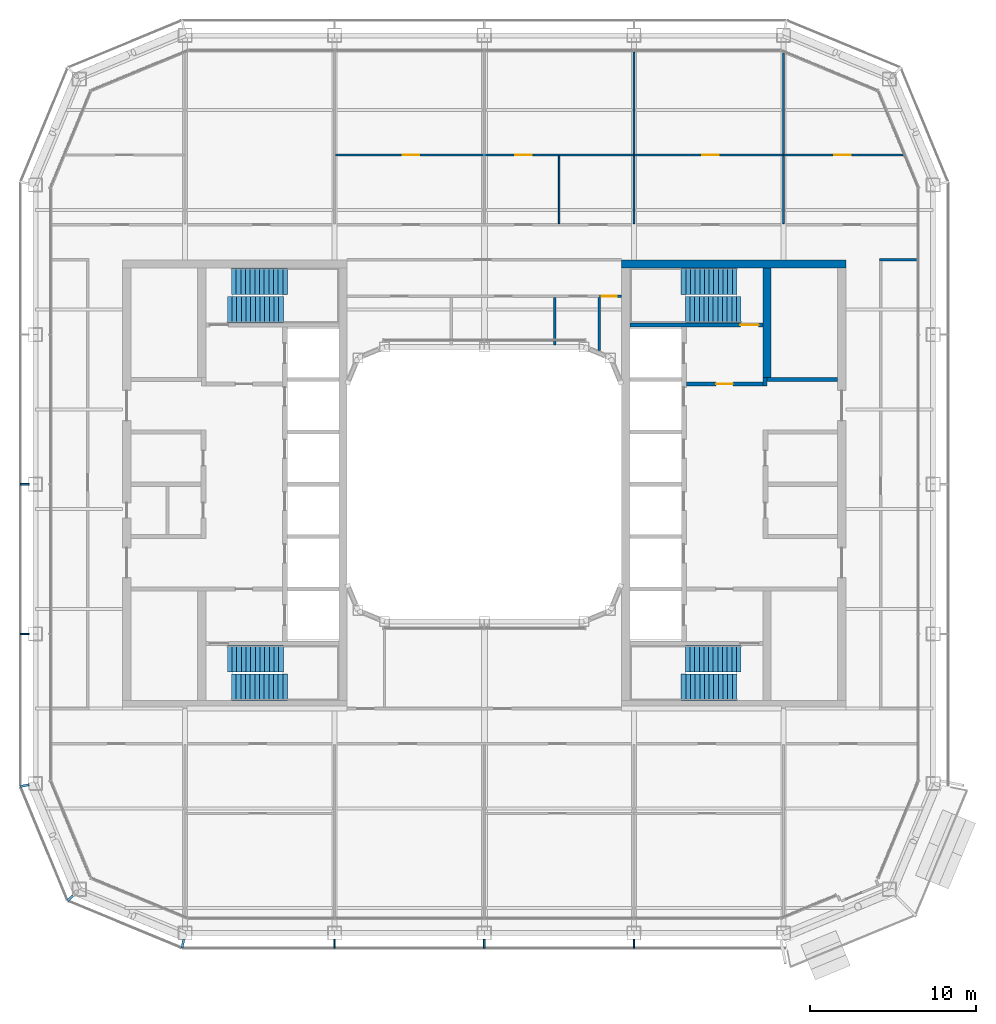
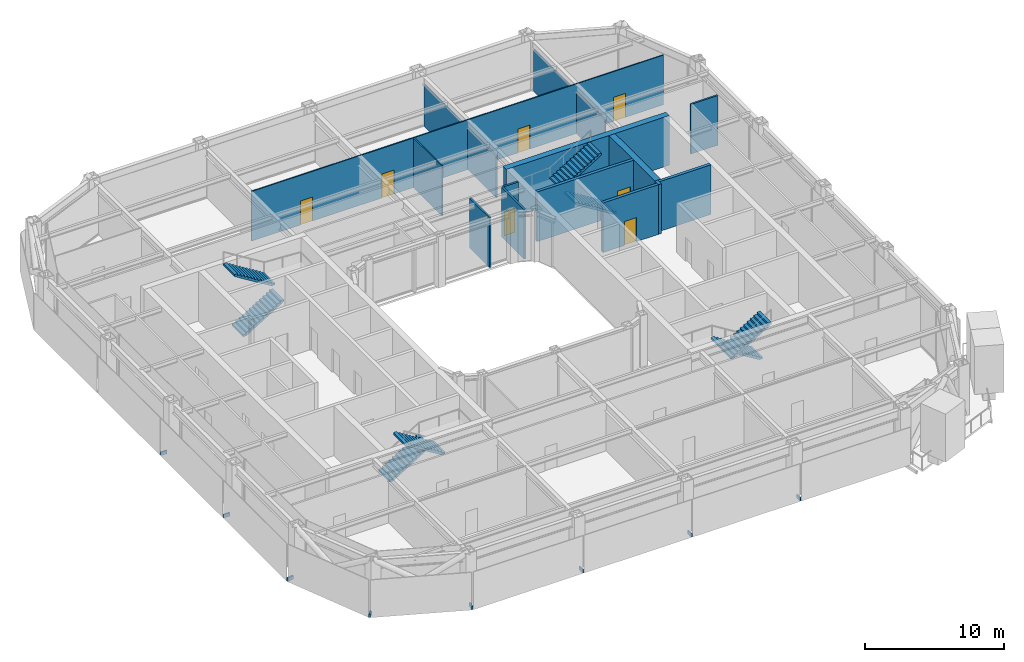
# One storey, part 15 of 22: 16 walls, 8 discrete accessories, 8 stair flights, 7 doors, 7 openings, 4 elements without a shape of their own.
"""IFC4 building model written with IfcOpenShell, lengths in metres."""

from ifc_helpers import new_model, si_unit, direction, frame, frame_2d, origin, origin_2d, place, context, subcontext, project, spatial, polyline, rectangle, outline, extrude, material, layer, layer_set, type_object, element, fill, aggregate, save


model = new_model("IFC4")

# Units and contexts
model_context = context("Model", 3, precision=1e-05, world=origin(), true_north=direction((0.0, 1.0)))
body_context = subcontext(model_context, "Body", "Model", "MODEL_VIEW")
ifc_project = project(units=[si_unit("LENGTHUNIT", "METRE"), si_unit("AREAUNIT", "SQUARE_METRE"), si_unit("VOLUMEUNIT", "CUBIC_METRE"), si_unit("PLANEANGLEUNIT", "RADIAN"), si_unit("MASSUNIT", "GRAM", prefix="KILO")], contexts=[model_context])

# Site, building, storey
site_placement = place(None, origin())
site = spatial("IfcSite", under=ifc_project, at=site_placement, CompositionType="ELEMENT")
building_placement = place(site_placement, origin())
building = spatial("IfcBuilding", under=site, at=building_placement, Name="Siwar Civic Tower", CompositionType="ELEMENT")
storey_placement = place(building_placement, frame((0.0, 0.0, 201.699951171875)))
storey = spatial("IfcBuildingStorey", under=building, at=storey_placement, Name="L43", CompositionType="ELEMENT", Elevation=201.699951171875)

# Wall, opening, door
ifc_material_1 = material(Name="Gypsum board on steel studs", Category="steel")
ifc_layer_1 = layer(ifc_material_1, 0.14990234375)
ifc_layer_set_1 = layer_set([ifc_layer_1], Name="Gypsum board on steel studs")
wall_type_1 = type_object("IfcWallType", Name="COMPARTMENT PARTITION 150 EI 60", PredefinedType="PARTITIONING", material=ifc_layer_set_1)
wall_1_placement = place(storey_placement, frame((6.919921875, 11.300048828125, 0.0), z_axis=(0.0, 0.0, 1.0), x_axis=(1.0, 0.0, 0.0)))
wall_1 = element("IfcWall", 1, at=wall_1_placement, inside=storey, type_object=wall_type_1, Name="L43/wall/P08", PredefinedType="PARTITIONING", context=body_context, shape_type="SweptSolid", body=[
    extrude(rectangle(XDim=1.330078125, YDim=0.14990234375, at=frame_2d((0.6650390625, 0.0))), origin(), (0.0, 0.0, 1.0), 4.35009765625),
])
opening_1_placement = place(wall_1_placement, frame((0.14990234375, 0.0, 0.0)))
opening_1 = element("IfcOpeningElement", 2, at=opening_1_placement, cuts=wall_1, Name="Opening D4", PredefinedType="OPENING", context=body_context, shape_type="SweptSolid", body=[
    extrude(rectangle(XDim=0.89990234375, YDim=2.10009765625, at=frame_2d((0.449951171875, 1.050048828125))), frame((0.0, 0.0849609375, 0.0), z_axis=(0.0, -1.0, 0.0), x_axis=(1.0, 0.0, 0.0)), (0.0, 0.0, 1.0), 0.169921875),
])
ifc_material_2 = material(Name="Timber, painted", Category="wood")
door_type_1 = type_object("IfcDoorType", Name="DOOR 900 X 2100 FD60", OperationType="SINGLE_SWING_LEFT", PredefinedType="DOOR", material=ifc_material_2)
door_1_placement = place(opening_1_placement, origin())
door_1 = element("IfcDoor", 3, at=door_1_placement, inside=storey, type_object=door_type_1, Name="L43-D28", OperationType="SINGLE_SWING_RIGHT", OverallHeight=2.10009765625, OverallWidth=0.89990234375, PredefinedType="DOOR", context=body_context, shape_type="SweptSolid", body=[
    extrude(rectangle(XDim=0.89990234375, YDim=2.10009765625, at=frame_2d((0.449951171875, 1.050048828125))), frame((0.0, 0.02490234375, 0.0), z_axis=(0.0, -1.0, 0.0), x_axis=(1.0, 0.0, 0.0)), (0.0, 0.0, 1.0), 0.050048828125),
])
fill(opening_1, door_1)

# Wall
wall_2_placement = place(storey_placement, frame((6.919921875, 8.029052734375, 0.0), z_axis=(0.0, 0.0, 1.0), x_axis=(0.0, 1.0, 0.0)))
element("IfcWall", 4, at=wall_2_placement, inside=storey, type_object=wall_type_1, Name="L43/wall/P27", PredefinedType="PARTITIONING", context=body_context, shape_type="SweptSolid", body=[
    extrude(rectangle(XDim=3.196044921875, YDim=0.14990234375, at=frame_2d((1.59814453125, 0.0))), origin(), (0.0, 0.0, 1.0), 4.35009765625),
])

# Wall, opening, door
ifc_material_3 = material(Name="Concrete C60/75", Category="concrete")
ifc_layer_2 = layer(ifc_material_3, 0.25)
ifc_layer_set_2 = layer_set([ifc_layer_2], Name="Concrete C60/75")
wall_type_2 = type_object("IfcWallType", Name="CORE-WALL-RC250", PredefinedType="SHEAR", material=ifc_layer_set_2)
wall_3_placement = place(storey_placement, frame((12.14990234375, 6.02490234375, 0.0), z_axis=(0.0, 0.0, 1.0), x_axis=(1.0, 0.0, 0.0)))
wall_3 = element("IfcWall", 5, at=wall_3_placement, inside=storey, type_object=wall_type_2, Name="Core wall E", PredefinedType="SHEAR", context=body_context, shape_type="SweptSolid", body=[
    extrude(rectangle(XDim=4.60009765625, YDim=0.25, at=frame_2d((2.300048828125, 0.0))), origin(), (0.0, 0.0, 1.0), 4.35009765625),
])
opening_2_placement = place(wall_3_placement, frame((1.800048828125, 0.0, 0.0)))
opening_2 = element("IfcOpeningElement", 6, at=opening_2_placement, cuts=wall_3, Name="Opening L43-CE01", PredefinedType="OPENING", context=body_context, shape_type="SweptSolid", body=[
    extrude(rectangle(XDim=1.0, YDim=2.10009765625, at=frame_2d((0.5, 1.050048828125))), frame((0.0, 0.135009765625, 0.0), z_axis=(0.0, -1.0, 0.0), x_axis=(1.0, 0.0, 0.0)), (0.0, 0.0, 1.0), 0.27001953125),
])
ifc_material_4 = material(Name="Steel door leaf", Category="steel")
door_type_2 = type_object("IfcDoorType", Name="CORE-DOOR-FD30S", OperationType="SINGLE_SWING_LEFT", PredefinedType="DOOR", material=ifc_material_4)
door_2_placement = place(opening_2_placement, origin())
door_2 = element("IfcDoor", 7, at=door_2_placement, inside=storey, type_object=door_type_2, Name="Firefighting lobby door L43-CE01", OperationType="SINGLE_SWING_RIGHT", OverallHeight=2.10009765625, OverallWidth=1.0, PredefinedType="DOOR", context=body_context, shape_type="SweptSolid", body=[
    extrude(rectangle(XDim=1.0, YDim=2.10009765625, at=frame_2d((0.5, 1.050048828125))), frame((0.0, 0.02490234375, 0.0), z_axis=(0.0, -1.0, 0.0), x_axis=(1.0, 0.0, 0.0)), (0.0, 0.0, 1.0), 0.050048828125),
])
fill(opening_2, door_2)

# Walls
wall_4_placement = place(storey_placement, frame((16.875, 5.89990234375, 0.0), z_axis=(0.0, 0.0, 1.0), x_axis=(0.0, 1.0, 0.0)))
element("IfcWall", 8, at=wall_4_placement, inside=storey, type_object=wall_type_2, Name="Core wall E", PredefinedType="SHEAR", context=body_context, shape_type="SweptSolid", body=[
    extrude(rectangle(XDim=0.525146484375, YDim=0.25, at=frame_2d((0.2626953125, 0.0))), origin(), (0.0, 0.0, 1.0), 4.35009765625),
])
wall_5_placement = place(storey_placement, frame((17.0, 6.300048828125, 0.0), z_axis=(0.0, 0.0, 1.0), x_axis=(1.0, 0.0, 0.0)))
element("IfcWall", 9, at=wall_5_placement, inside=storey, type_object=wall_type_2, Name="Core wall E", PredefinedType="SHEAR", context=body_context, shape_type="SweptSolid", body=[
    extrude(rectangle(XDim=4.25, YDim=0.25, at=frame_2d((2.125, 0.0))), origin(), (0.0, 0.0, 1.0), 4.35009765625),
])

# Wall, opening, door
wall_6_placement = place(storey_placement, frame((8.75, 9.574951171875, 0.0), z_axis=(0.0, 0.0, 1.0), x_axis=(1.0, 0.0, 0.0)))
wall_6 = element("IfcWall", 10, at=wall_6_placement, inside=storey, type_object=wall_type_2, Name="Core wall E", PredefinedType="SHEAR", context=body_context, shape_type="SweptSolid", body=[
    extrude(rectangle(XDim=8.0, YDim=0.25, at=frame_2d((4.0, 0.0))), origin(), (0.0, 0.0, 1.0), 4.35009765625),
])
opening_3_placement = place(wall_6_placement, frame((6.64990234375, 0.0, 0.0)))
opening_3 = element("IfcOpeningElement", 11, at=opening_3_placement, cuts=wall_6, Name="Opening L43-CE03", PredefinedType="OPENING", context=body_context, shape_type="SweptSolid", body=[
    extrude(rectangle(XDim=1.10009765625, YDim=2.10009765625, at=frame_2d((0.550048828125, 1.050048828125))), frame((0.0, 0.135009765625, 0.0), z_axis=(0.0, -1.0, 0.0), x_axis=(1.0, 0.0, 0.0)), (0.0, 0.0, 1.0), 0.27001953125),
])
ifc_material_5 = material(Name="Steel door leaf", Category="steel")
door_type_3 = type_object("IfcDoorType", Name="CORE-DOOR-FD60S", OperationType="SINGLE_SWING_LEFT", PredefinedType="DOOR", material=ifc_material_5)
door_3_placement = place(opening_3_placement, origin())
door_3 = element("IfcDoor", 12, at=door_3_placement, inside=storey, type_object=door_type_3, Name="Stair door L43-CE03", OperationType="SINGLE_SWING_LEFT", OverallHeight=2.10009765625, OverallWidth=1.10009765625, PredefinedType="DOOR", context=body_context, shape_type="SweptSolid", body=[
    extrude(rectangle(XDim=1.10009765625, YDim=2.10009765625, at=frame_2d((0.550048828125, 1.050048828125))), frame((0.0, 0.02490234375, 0.0), z_axis=(0.0, -1.0, 0.0), x_axis=(1.0, 0.0, 0.0)), (0.0, 0.0, 1.0), 0.050048828125),
])
fill(opening_3, door_3)

# Walls
ifc_material_6 = material(Name="Concrete C60/75", Category="concrete")
ifc_layer_3 = layer(ifc_material_6, 0.5)
ifc_layer_set_3 = layer_set([ifc_layer_3], Name="Concrete C60/75")
wall_type_3 = type_object("IfcWallType", Name="CORE-WALL-RC500", PredefinedType="SHEAR", material=ifc_layer_set_3)
wall_7_placement = place(storey_placement, frame((17.0, 6.425048828125, 0.0), z_axis=(0.0, 0.0, 1.0), x_axis=(0.0, 1.0, 0.0)))
element("IfcWall", 13, at=wall_7_placement, inside=storey, type_object=wall_type_3, Name="Core wall E", PredefinedType="SHEAR", context=body_context, shape_type="SweptSolid", body=[
    extrude(rectangle(XDim=6.574951171875, YDim=0.5, at=frame_2d((3.28759765625, 0.0))), origin(), (0.0, 0.0, 1.0), 4.35009765625),
])
wall_8_placement = place(storey_placement, frame((8.25, 13.25, 0.0), z_axis=(0.0, 0.0, 1.0), x_axis=(1.0, 0.0, 0.0)))
element("IfcWall", 14, at=wall_8_placement, inside=storey, type_object=wall_type_3, Name="Core wall E", PredefinedType="SHEAR", context=body_context, shape_type="SweptSolid", body=[
    extrude(rectangle(XDim=13.5, YDim=0.5, at=frame_2d((6.75, 0.0))), origin(), (0.0, 0.0, 1.0), 4.35009765625),
])
ifc_material_7 = material(Name="Gypsum board on steel studs", Category="steel")
ifc_layer_4 = layer(ifc_material_7, 0.14990234375)
ifc_layer_set_4 = layer_set([ifc_layer_4], Name="Gypsum board on steel studs")
wall_type_4 = type_object("IfcWallType", Name="CORRIDOR PARTITION 150 EI 30", PredefinedType="PARTITIONING", material=ifc_layer_set_4)
wall_9_placement = place(storey_placement, frame((23.77490234375, 13.5, 0.0), z_axis=(0.0, 0.0, 1.0), x_axis=(1.0, 0.0, 0.0)))
element("IfcWall", 15, at=wall_9_placement, inside=storey, type_object=wall_type_4, Name="L43/wall/P11", PredefinedType="PARTITIONING", context=body_context, shape_type="SweptSolid", body=[
    extrude(rectangle(XDim=2.235107421875, YDim=0.14990234375, at=frame_2d((1.11767578125, 0.0))), origin(), (0.0, 0.0, 1.0), 4.35009765625),
])
wall_10_placement = place(storey_placement, frame((4.25, 8.3701171875, 0.0), z_axis=(0.0, 0.0, 1.0), x_axis=(0.0, 1.0, 0.0)))
element("IfcWall", 16, at=wall_10_placement, inside=storey, type_object=wall_type_4, Name="L43/wall/P25", PredefinedType="PARTITIONING", context=body_context, shape_type="SweptSolid", body=[
    extrude(rectangle(XDim=2.85498046875, YDim=0.14990234375, at=frame_2d((1.427490234375, 0.0))), origin(), (0.0, 0.0, 1.0), 4.35009765625),
])

# Wall, openings, doors
ifc_material_8 = material(Name="Gypsum board on steel studs", Category="steel")
ifc_layer_5 = layer(ifc_material_8, 0.10009765625)
ifc_layer_set_5 = layer_set([ifc_layer_5], Name="Gypsum board on steel studs")
wall_type_5 = type_object("IfcWallType", Name="PARTITION 100 GYPSUM", PredefinedType="PARTITIONING", material=ifc_layer_set_5)
wall_11_placement = place(storey_placement, frame((-8.949951171875, 19.800048828125, 0.0), z_axis=(0.0, 0.0, 1.0), x_axis=(1.0, 0.0, 0.0)))
wall_11 = element("IfcWall", 17, at=wall_11_placement, inside=storey, type_object=wall_type_5, Name="L43/wall/P14", PredefinedType="PARTITIONING", context=body_context, shape_type="SweptSolid", body=[
    extrude(rectangle(XDim=34.133056640625, YDim=0.10009765625, at=frame_2d((17.06640625, 0.0))), origin(), (0.0, 0.0, 1.0), 4.35009765625),
])
opening_4_placement = place(wall_11_placement, frame((4.050048828125, 0.0, 0.0)))
opening_4 = element("IfcOpeningElement", 18, at=opening_4_placement, cuts=wall_11, Name="Opening D2", PredefinedType="OPENING", context=body_context, shape_type="SweptSolid", body=[
    extrude(rectangle(XDim=1.0, YDim=2.10009765625, at=frame_2d((0.5, 1.050048828125))), frame((0.0, 0.06005859375, 0.0), z_axis=(0.0, -1.0, 0.0), x_axis=(1.0, 0.0, 0.0)), (0.0, 0.0, 1.0), 0.1201171875),
])
opening_5_placement = place(wall_11_placement, frame((10.800048828125, 0.0, 0.0)))
opening_5 = element("IfcOpeningElement", 19, at=opening_5_placement, cuts=wall_11, Name="Opening D2", PredefinedType="OPENING", context=body_context, shape_type="SweptSolid", body=[
    extrude(rectangle(XDim=1.0, YDim=2.10009765625, at=frame_2d((0.5, 1.050048828125))), frame((0.0, 0.06005859375, 0.0), z_axis=(0.0, -1.0, 0.0), x_axis=(1.0, 0.0, 0.0)), (0.0, 0.0, 1.0), 0.1201171875),
])
opening_6_placement = place(wall_11_placement, frame((22.050048828125, 0.0, 0.0)))
opening_6 = element("IfcOpeningElement", 20, at=opening_6_placement, cuts=wall_11, Name="Opening D2", PredefinedType="OPENING", context=body_context, shape_type="SweptSolid", body=[
    extrude(rectangle(XDim=1.0, YDim=2.10009765625, at=frame_2d((0.5, 1.050048828125))), frame((0.0, 0.06005859375, 0.0), z_axis=(0.0, -1.0, 0.0), x_axis=(1.0, 0.0, 0.0)), (0.0, 0.0, 1.0), 0.1201171875),
])
opening_7_placement = place(wall_11_placement, frame((29.98291015625, 0.0, 0.0)))
opening_7 = element("IfcOpeningElement", 21, at=opening_7_placement, cuts=wall_11, Name="Opening D2", PredefinedType="OPENING", context=body_context, shape_type="SweptSolid", body=[
    extrude(rectangle(XDim=1.0, YDim=2.10009765625, at=frame_2d((0.5, 1.050048828125))), frame((0.0, 0.06005859375, 0.0), z_axis=(0.0, -1.0, 0.0), x_axis=(1.0, 0.0, 0.0)), (0.0, 0.0, 1.0), 0.1201171875),
])
ifc_material_9 = material(Name="Timber, painted", Category="wood")
door_type_4 = type_object("IfcDoorType", Name="DOOR 1000 X 2100", OperationType="SINGLE_SWING_LEFT", PredefinedType="DOOR", material=ifc_material_9)
door_4_placement = place(opening_4_placement, origin())
door_4 = element("IfcDoor", 22, at=door_4_placement, inside=storey, type_object=door_type_4, Name="L43-D03", OperationType="SINGLE_SWING_LEFT", OverallHeight=2.10009765625, OverallWidth=1.0, PredefinedType="DOOR", context=body_context, shape_type="SweptSolid", body=[
    extrude(rectangle(XDim=1.0, YDim=2.10009765625, at=frame_2d((0.5, 1.050048828125))), frame((0.0, 0.02490234375, 0.0), z_axis=(0.0, -1.0, 0.0), x_axis=(1.0, 0.0, 0.0)), (0.0, 0.0, 1.0), 0.050048828125),
])
fill(opening_4, door_4)
door_5_placement = place(opening_5_placement, origin())
door_5 = element("IfcDoor", 23, at=door_5_placement, inside=storey, type_object=door_type_4, Name="L43-D06", OperationType="SINGLE_SWING_RIGHT", OverallHeight=2.10009765625, OverallWidth=1.0, PredefinedType="DOOR", context=body_context, shape_type="SweptSolid", body=[
    extrude(rectangle(XDim=1.0, YDim=2.10009765625, at=frame_2d((0.5, 1.050048828125))), frame((0.0, 0.02490234375, 0.0), z_axis=(0.0, -1.0, 0.0), x_axis=(1.0, 0.0, 0.0)), (0.0, 0.0, 1.0), 0.050048828125),
])
fill(opening_5, door_5)
door_6_placement = place(opening_6_placement, origin())
door_6 = element("IfcDoor", 24, at=door_6_placement, inside=storey, type_object=door_type_4, Name="L43-D08", OperationType="SINGLE_SWING_RIGHT", OverallHeight=2.10009765625, OverallWidth=1.0, PredefinedType="DOOR", context=body_context, shape_type="SweptSolid", body=[
    extrude(rectangle(XDim=1.0, YDim=2.10009765625, at=frame_2d((0.5, 1.050048828125))), frame((0.0, 0.02490234375, 0.0), z_axis=(0.0, -1.0, 0.0), x_axis=(1.0, 0.0, 0.0)), (0.0, 0.0, 1.0), 0.050048828125),
])
fill(opening_6, door_6)
door_7_placement = place(opening_7_placement, origin())
door_7 = element("IfcDoor", 25, at=door_7_placement, inside=storey, type_object=door_type_4, Name="L43-D19", OperationType="SINGLE_SWING_LEFT", OverallHeight=2.10009765625, OverallWidth=1.0, PredefinedType="DOOR", context=body_context, shape_type="SweptSolid", body=[
    extrude(rectangle(XDim=1.0, YDim=2.10009765625, at=frame_2d((0.5, 1.050048828125))), frame((0.0, 0.02490234375, 0.0), z_axis=(0.0, -1.0, 0.0), x_axis=(1.0, 0.0, 0.0)), (0.0, 0.0, 1.0), 0.050048828125),
])
fill(opening_7, door_7)

# Walls
wall_12_placement = place(storey_placement, frame((4.5, 15.675048828125, 0.0), z_axis=(0.0, 0.0, 1.0), x_axis=(0.0, 1.0, 0.0)))
element("IfcWall", 26, at=wall_12_placement, inside=storey, type_object=wall_type_5, Name="L43/wall/P26", PredefinedType="PARTITIONING", context=body_context, shape_type="SweptSolid", body=[
    extrude(rectangle(XDim=4.074951171875, YDim=0.10009765625, at=frame_2d((2.03759765625, 0.0))), origin(), (0.0, 0.0, 1.0), 4.35009765625),
])
wall_13_placement = place(storey_placement, frame((9.0, 15.675048828125, 0.0), z_axis=(0.0, 0.0, 1.0), x_axis=(0.0, 1.0, 0.0)))
element("IfcWall", 27, at=wall_13_placement, inside=storey, type_object=wall_type_5, Name="L43/wall/P30", PredefinedType="PARTITIONING", context=body_context, shape_type="SweptSolid", body=[
    extrude(rectangle(XDim=4.074951171875, YDim=0.10009765625, at=frame_2d((2.03759765625, 0.0))), origin(), (0.0, 0.0, 1.0), 3.650146484375),
])
wall_14_placement = place(storey_placement, frame((9.0, 19.85009765625, 0.0), z_axis=(0.0, 0.0, 1.0), x_axis=(0.0, 1.0, 0.0)))
element("IfcWall", 28, at=wall_14_placement, inside=storey, type_object=wall_type_5, Name="L43/wall/P31", PredefinedType="PARTITIONING", context=body_context, shape_type="SweptSolid", body=[
    extrude(rectangle(XDim=6.159912109375, YDim=0.10009765625, at=frame_2d((3.080078125, 0.0))), origin(), (0.0, 0.0, 1.0), 3.650146484375),
])
wall_15_placement = place(storey_placement, frame((18.0, 15.675048828125, 0.0), z_axis=(0.0, 0.0, 1.0), x_axis=(0.0, 1.0, 0.0)))
element("IfcWall", 29, at=wall_15_placement, inside=storey, type_object=wall_type_5, Name="L43/wall/P33", PredefinedType="PARTITIONING", context=body_context, shape_type="SweptSolid", body=[
    extrude(rectangle(XDim=4.074951171875, YDim=0.10009765625, at=frame_2d((2.03759765625, 0.0))), origin(), (0.0, 0.0, 1.0), 3.650146484375),
])
wall_16_placement = place(storey_placement, frame((18.0, 19.85009765625, 0.0), z_axis=(0.0, 0.0, 1.0), x_axis=(0.0, 1.0, 0.0)))
element("IfcWall", 30, at=wall_16_placement, inside=storey, type_object=wall_type_5, Name="L43/wall/P34", PredefinedType="PARTITIONING", context=body_context, shape_type="SweptSolid", body=[
    extrude(rectangle(XDim=6.077880859375, YDim=0.10009765625, at=frame_2d((3.0390625, 0.0))), origin(), (0.0, 0.0, 1.0), 3.650146484375),
])

# Stair, stair flights
ifc_material_10 = material(Name="Concrete C40/50", Category="concrete")
stair_type = type_object("IfcStairType", Name="CORE-STAIR", PredefinedType="TWO_STRAIGHT_RUN_STAIR", material=ifc_material_10)
stair_1_placement = place(storey_placement, origin())
stair_1 = element("IfcStair", 31, at=stair_1_placement, inside=storey, type_object=stair_type, Name="Exit stair ST1", PredefinedType="TWO_STRAIGHT_RUN_STAIR")
ifc_material_11 = material(Name="Concrete C40/50", Category="concrete")
stair_flight_type = type_object("IfcStairFlightType", Name="CORE-STAIR-FLIGHT", PredefinedType="STRAIGHT", material=ifc_material_11)
stair_flight_1_placement = place(storey_placement, frame((-15.449951171875, 10.5, 0.0), z_axis=(0.0, 0.0, 1.0), x_axis=(1.0, 0.0, 0.0)))
stair_flight_1 = element("IfcStairFlight", 32, at=stair_flight_1_placement, type_object=stair_flight_type, Name="ST1 flight 1", NumberOfRisers=13, NumberOfTreads=12, PredefinedType="STRAIGHT", RiserHeight=0.173076923, TreadLength=0.28, context=body_context, shape_type="SweptSolid", body=[
    extrude(outline(polyline([(0.0, 0.0), (0.0, 0.173095703125), (0.280029296875, 0.173095703125), (0.280029296875, 0.34619140625), (0.56005859375, 0.34619140625), (0.56005859375, 0.519287109375), (0.840087890625, 0.519287109375), (0.840087890625, 0.6923828125), (1.1201171875, 0.6923828125), (1.1201171875, 0.865478515625), (1.39990234375, 0.865478515625), (1.39990234375, 1.03857421875), (1.679931640625, 1.03857421875), (1.679931640625, 1.21142578125), (1.9599609375, 1.21142578125), (1.9599609375, 1.384521484375), (2.239990234375, 1.384521484375), (2.239990234375, 1.5576171875), (2.52001953125, 1.5576171875), (2.52001953125, 1.730712890625), (2.800048828125, 1.730712890625), (2.800048828125, 1.90380859375), (3.080078125, 1.90380859375), (3.080078125, 2.076904296875), (3.360107421875, 2.076904296875), (3.360107421875, 2.25), (3.360107421875, 1.900634765625), (0.28515625, 0.0), (0.0, 0.0)])), frame((0.0, 0.800048828125, 0.0), z_axis=(0.0, -1.0, 0.0), x_axis=(1.0, 0.0, 0.0)), (0.0, 0.0, 1.0), 1.60009765625),
])
stair_flight_2_placement = place(storey_placement, frame((-11.840087890625, 12.199951171875, 2.25), z_axis=(0.0, 0.0, 1.0), x_axis=(-1.0, 0.0, 0.0)))
stair_flight_2 = element("IfcStairFlight", 33, at=stair_flight_2_placement, type_object=stair_flight_type, Name="ST1 flight 2", NumberOfRisers=13, NumberOfTreads=12, PredefinedType="STRAIGHT", RiserHeight=0.173076923, TreadLength=0.28, context=body_context, shape_type="SweptSolid", body=[
    extrude(outline(polyline([(0.0, 0.0), (0.0, 0.173095703125), (0.280029296875, 0.173095703125), (0.280029296875, 0.34619140625), (0.56005859375, 0.34619140625), (0.56005859375, 0.519287109375), (0.840087890625, 0.519287109375), (0.840087890625, 0.6923828125), (1.1201171875, 0.6923828125), (1.1201171875, 0.865478515625), (1.39990234375, 0.865478515625), (1.39990234375, 1.03857421875), (1.679931640625, 1.03857421875), (1.679931640625, 1.21142578125), (1.9599609375, 1.21142578125), (1.9599609375, 1.384521484375), (2.239990234375, 1.384521484375), (2.239990234375, 1.5576171875), (2.52001953125, 1.5576171875), (2.52001953125, 1.730712890625), (2.800048828125, 1.730712890625), (2.800048828125, 1.90380859375), (3.080078125, 1.90380859375), (3.080078125, 2.076904296875), (3.360107421875, 2.076904296875), (3.360107421875, 2.25), (3.360107421875, 1.900634765625), (0.28515625, 0.0), (0.0, 0.0)])), frame((0.0, 0.800048828125, 0.0), z_axis=(0.0, -1.0, 0.0), x_axis=(1.0, 0.0, 0.0)), (0.0, 0.0, 1.0), 1.60009765625),
])
aggregate(stair_1, [stair_flight_1, stair_flight_2])

stair_2_placement = place(storey_placement, origin())
stair_2 = element("IfcStair", 34, at=stair_2_placement, inside=storey, type_object=stair_type, Name="Exit stair ST2", PredefinedType="TWO_STRAIGHT_RUN_STAIR")
stair_flight_3_placement = place(storey_placement, frame((-15.449951171875, -10.5, 0.0), z_axis=(0.0, 0.0, 1.0), x_axis=(1.0, 0.0, 0.0)))
stair_flight_3 = element("IfcStairFlight", 35, at=stair_flight_3_placement, type_object=stair_flight_type, Name="ST2 flight 1", NumberOfRisers=13, NumberOfTreads=12, PredefinedType="STRAIGHT", RiserHeight=0.173076923, TreadLength=0.28, context=body_context, shape_type="SweptSolid", body=[
    extrude(outline(polyline([(0.0, 0.0), (0.0, 0.173095703125), (0.280029296875, 0.173095703125), (0.280029296875, 0.34619140625), (0.56005859375, 0.34619140625), (0.56005859375, 0.519287109375), (0.840087890625, 0.519287109375), (0.840087890625, 0.6923828125), (1.1201171875, 0.6923828125), (1.1201171875, 0.865478515625), (1.39990234375, 0.865478515625), (1.39990234375, 1.03857421875), (1.679931640625, 1.03857421875), (1.679931640625, 1.21142578125), (1.9599609375, 1.21142578125), (1.9599609375, 1.384521484375), (2.239990234375, 1.384521484375), (2.239990234375, 1.5576171875), (2.52001953125, 1.5576171875), (2.52001953125, 1.730712890625), (2.800048828125, 1.730712890625), (2.800048828125, 1.90380859375), (3.080078125, 1.90380859375), (3.080078125, 2.076904296875), (3.360107421875, 2.076904296875), (3.360107421875, 2.25), (3.360107421875, 1.900634765625), (0.28515625, 0.0), (0.0, 0.0)])), frame((0.0, 0.800048828125, 0.0), z_axis=(0.0, -1.0, 0.0), x_axis=(1.0, 0.0, 0.0)), (0.0, 0.0, 1.0), 1.60009765625),
])
stair_flight_4_placement = place(storey_placement, frame((-11.840087890625, -12.199951171875, 2.25), z_axis=(0.0, 0.0, 1.0), x_axis=(-1.0, 0.0, 0.0)))
stair_flight_4 = element("IfcStairFlight", 36, at=stair_flight_4_placement, type_object=stair_flight_type, Name="ST2 flight 2", NumberOfRisers=13, NumberOfTreads=12, PredefinedType="STRAIGHT", RiserHeight=0.173076923, TreadLength=0.28, context=body_context, shape_type="SweptSolid", body=[
    extrude(outline(polyline([(0.0, 0.0), (0.0, 0.173095703125), (0.280029296875, 0.173095703125), (0.280029296875, 0.34619140625), (0.56005859375, 0.34619140625), (0.56005859375, 0.519287109375), (0.840087890625, 0.519287109375), (0.840087890625, 0.6923828125), (1.1201171875, 0.6923828125), (1.1201171875, 0.865478515625), (1.39990234375, 0.865478515625), (1.39990234375, 1.03857421875), (1.679931640625, 1.03857421875), (1.679931640625, 1.21142578125), (1.9599609375, 1.21142578125), (1.9599609375, 1.384521484375), (2.239990234375, 1.384521484375), (2.239990234375, 1.5576171875), (2.52001953125, 1.5576171875), (2.52001953125, 1.730712890625), (2.800048828125, 1.730712890625), (2.800048828125, 1.90380859375), (3.080078125, 1.90380859375), (3.080078125, 2.076904296875), (3.360107421875, 2.076904296875), (3.360107421875, 2.25), (3.360107421875, 1.900634765625), (0.28515625, 0.0), (0.0, 0.0)])), frame((0.0, 0.800048828125, 0.0), z_axis=(0.0, -1.0, 0.0), x_axis=(1.0, 0.0, 0.0)), (0.0, 0.0, 1.0), 1.60009765625),
])
aggregate(stair_2, [stair_flight_3, stair_flight_4])

stair_3_placement = place(storey_placement, origin())
stair_3 = element("IfcStair", 37, at=stair_3_placement, inside=storey, type_object=stair_type, Name="Exit stair ST3", PredefinedType="TWO_STRAIGHT_RUN_STAIR")
stair_flight_5_placement = place(storey_placement, frame((15.449951171875, 10.5, 0.0), z_axis=(0.0, 0.0, 1.0), x_axis=(-1.0, 0.0, 0.0)))
stair_flight_5 = element("IfcStairFlight", 38, at=stair_flight_5_placement, type_object=stair_flight_type, Name="ST3 flight 1", NumberOfRisers=13, NumberOfTreads=12, PredefinedType="STRAIGHT", RiserHeight=0.173076923, TreadLength=0.28, context=body_context, shape_type="SweptSolid", body=[
    extrude(outline(polyline([(0.0, 0.0), (0.0, 0.173095703125), (0.280029296875, 0.173095703125), (0.280029296875, 0.34619140625), (0.56005859375, 0.34619140625), (0.56005859375, 0.519287109375), (0.840087890625, 0.519287109375), (0.840087890625, 0.6923828125), (1.1201171875, 0.6923828125), (1.1201171875, 0.865478515625), (1.39990234375, 0.865478515625), (1.39990234375, 1.03857421875), (1.679931640625, 1.03857421875), (1.679931640625, 1.21142578125), (1.9599609375, 1.21142578125), (1.9599609375, 1.384521484375), (2.239990234375, 1.384521484375), (2.239990234375, 1.5576171875), (2.52001953125, 1.5576171875), (2.52001953125, 1.730712890625), (2.800048828125, 1.730712890625), (2.800048828125, 1.90380859375), (3.080078125, 1.90380859375), (3.080078125, 2.076904296875), (3.360107421875, 2.076904296875), (3.360107421875, 2.25), (3.360107421875, 1.900634765625), (0.28515625, 0.0), (0.0, 0.0)])), frame((0.0, 0.800048828125, 0.0), z_axis=(0.0, -1.0, 0.0), x_axis=(1.0, 0.0, 0.0)), (0.0, 0.0, 1.0), 1.60009765625),
])
stair_flight_6_placement = place(storey_placement, frame((11.840087890625, 12.199951171875, 2.25), z_axis=(0.0, 0.0, 1.0), x_axis=(1.0, 0.0, 0.0)))
stair_flight_6 = element("IfcStairFlight", 39, at=stair_flight_6_placement, type_object=stair_flight_type, Name="ST3 flight 2", NumberOfRisers=13, NumberOfTreads=12, PredefinedType="STRAIGHT", RiserHeight=0.173076923, TreadLength=0.28, context=body_context, shape_type="SweptSolid", body=[
    extrude(outline(polyline([(0.0, 0.0), (0.0, 0.173095703125), (0.280029296875, 0.173095703125), (0.280029296875, 0.34619140625), (0.56005859375, 0.34619140625), (0.56005859375, 0.519287109375), (0.840087890625, 0.519287109375), (0.840087890625, 0.6923828125), (1.1201171875, 0.6923828125), (1.1201171875, 0.865478515625), (1.39990234375, 0.865478515625), (1.39990234375, 1.03857421875), (1.679931640625, 1.03857421875), (1.679931640625, 1.21142578125), (1.9599609375, 1.21142578125), (1.9599609375, 1.384521484375), (2.239990234375, 1.384521484375), (2.239990234375, 1.5576171875), (2.52001953125, 1.5576171875), (2.52001953125, 1.730712890625), (2.800048828125, 1.730712890625), (2.800048828125, 1.90380859375), (3.080078125, 1.90380859375), (3.080078125, 2.076904296875), (3.360107421875, 2.076904296875), (3.360107421875, 2.25), (3.360107421875, 1.900634765625), (0.28515625, 0.0), (0.0, 0.0)])), frame((0.0, 0.800048828125, 0.0), z_axis=(0.0, -1.0, 0.0), x_axis=(1.0, 0.0, 0.0)), (0.0, 0.0, 1.0), 1.60009765625),
])
aggregate(stair_3, [stair_flight_5, stair_flight_6])

stair_4_placement = place(storey_placement, origin())
stair_4 = element("IfcStair", 40, at=stair_4_placement, inside=storey, type_object=stair_type, Name="Exit stair ST4", PredefinedType="TWO_STRAIGHT_RUN_STAIR")
stair_flight_7_placement = place(storey_placement, frame((15.449951171875, -10.5, 0.0), z_axis=(0.0, 0.0, 1.0), x_axis=(-1.0, 0.0, 0.0)))
stair_flight_7 = element("IfcStairFlight", 41, at=stair_flight_7_placement, type_object=stair_flight_type, Name="ST4 flight 1", NumberOfRisers=13, NumberOfTreads=12, PredefinedType="STRAIGHT", RiserHeight=0.173076923, TreadLength=0.28, context=body_context, shape_type="SweptSolid", body=[
    extrude(outline(polyline([(0.0, 0.0), (0.0, 0.173095703125), (0.280029296875, 0.173095703125), (0.280029296875, 0.34619140625), (0.56005859375, 0.34619140625), (0.56005859375, 0.519287109375), (0.840087890625, 0.519287109375), (0.840087890625, 0.6923828125), (1.1201171875, 0.6923828125), (1.1201171875, 0.865478515625), (1.39990234375, 0.865478515625), (1.39990234375, 1.03857421875), (1.679931640625, 1.03857421875), (1.679931640625, 1.21142578125), (1.9599609375, 1.21142578125), (1.9599609375, 1.384521484375), (2.239990234375, 1.384521484375), (2.239990234375, 1.5576171875), (2.52001953125, 1.5576171875), (2.52001953125, 1.730712890625), (2.800048828125, 1.730712890625), (2.800048828125, 1.90380859375), (3.080078125, 1.90380859375), (3.080078125, 2.076904296875), (3.360107421875, 2.076904296875), (3.360107421875, 2.25), (3.360107421875, 1.900634765625), (0.28515625, 0.0), (0.0, 0.0)])), frame((0.0, 0.800048828125, 0.0), z_axis=(0.0, -1.0, 0.0), x_axis=(1.0, 0.0, 0.0)), (0.0, 0.0, 1.0), 1.60009765625),
])
stair_flight_8_placement = place(storey_placement, frame((11.840087890625, -12.199951171875, 2.25), z_axis=(0.0, 0.0, 1.0), x_axis=(1.0, 0.0, 0.0)))
stair_flight_8 = element("IfcStairFlight", 42, at=stair_flight_8_placement, type_object=stair_flight_type, Name="ST4 flight 2", NumberOfRisers=13, NumberOfTreads=12, PredefinedType="STRAIGHT", RiserHeight=0.173076923, TreadLength=0.28, context=body_context, shape_type="SweptSolid", body=[
    extrude(outline(polyline([(0.0, 0.0), (0.0, 0.173095703125), (0.280029296875, 0.173095703125), (0.280029296875, 0.34619140625), (0.56005859375, 0.34619140625), (0.56005859375, 0.519287109375), (0.840087890625, 0.519287109375), (0.840087890625, 0.6923828125), (1.1201171875, 0.6923828125), (1.1201171875, 0.865478515625), (1.39990234375, 0.865478515625), (1.39990234375, 1.03857421875), (1.679931640625, 1.03857421875), (1.679931640625, 1.21142578125), (1.9599609375, 1.21142578125), (1.9599609375, 1.384521484375), (2.239990234375, 1.384521484375), (2.239990234375, 1.5576171875), (2.52001953125, 1.5576171875), (2.52001953125, 1.730712890625), (2.800048828125, 1.730712890625), (2.800048828125, 1.90380859375), (3.080078125, 1.90380859375), (3.080078125, 2.076904296875), (3.360107421875, 2.076904296875), (3.360107421875, 2.25), (3.360107421875, 1.900634765625), (0.28515625, 0.0), (0.0, 0.0)])), frame((0.0, 0.800048828125, 0.0), z_axis=(0.0, -1.0, 0.0), x_axis=(1.0, 0.0, 0.0)), (0.0, 0.0, 1.0), 1.60009765625),
])
aggregate(stair_4, [stair_flight_7, stair_flight_8])

# Discrete accessories
ifc_material_12 = material(Name="Stainless steel 316", Category="steel")
discrete_accessory_type = type_object("IfcDiscreteAccessoryType", Name="ENV-BRACKET", PredefinedType="BRACKET", material=ifc_material_12)
for number, where, z_axis, x_axis, name in (
    (43, (-9.0, -27.639892578125, -0.14990234375), (0.0, 0.0, 1.0), (0.0, -1.0, 0.0), "Bracket outer skin joint S-01"),
    (44, (0.0, -27.639892578125, -0.14990234375), (0.0, 0.0, 1.0), (0.0, -1.0, 0.0), "Bracket outer skin joint S-02"),
    (45, (9.0, -27.639892578125, -0.14990234375), (0.0, 0.0, 1.0), (0.0, -1.0, 0.0), "Bracket outer skin joint S-03"),
):
    element("IfcDiscreteAccessory", number, at=place(storey_placement, frame(where, z_axis=z_axis, x_axis=x_axis)), inside=storey, type_object=discrete_accessory_type, Name=name, PredefinedType="BRACKET", context=body_context, shape_type="SweptSolid", body=[
        extrude(rectangle(XDim=0.52001953125, YDim=0.10009765625, at=origin_2d()), origin(), (0.0, 0.0, 1.0), 0.300048828125),
    ])
for number, where, z_axis, x_axis, name in (
    (46, (-18.12744140625, -27.64013671875, -0.14990234375), (0.0, 0.0, 1.0), (-0.195090322016, -0.980785280403, 0.0), "Bracket outer skin joint V00"),
    (47, (-27.64013671875, -18.12744140625, -0.14990234375), (0.0, 0.0, 1.0), (-0.980785280403, -0.195090322016, 0.0), "Bracket outer skin joint V10"),
):
    element("IfcDiscreteAccessory", number, at=place(storey_placement, frame(where, z_axis=z_axis, x_axis=x_axis)), inside=storey, type_object=discrete_accessory_type, Name=name, PredefinedType="BRACKET", context=body_context, shape_type="SweptSolid", body=[
        extrude(rectangle(XDim=0.52978515625, YDim=0.13720703125, at=origin_2d()), origin(), (0.0, 0.0, 1.0), 0.300048828125),
    ])
discrete_accessory_placement = place(storey_placement, frame((-24.9013671875, -24.9013671875, -0.14990234375), z_axis=(0.0, 0.0, 1.0), x_axis=(-0.707106781187, -0.707106781187, 0.0)))
element("IfcDiscreteAccessory", 48, at=discrete_accessory_placement, inside=storey, type_object=discrete_accessory_type, Name="Bracket outer skin joint V11", PredefinedType="BRACKET", context=body_context, shape_type="SweptSolid", body=[
    extrude(rectangle(XDim=0.428466796875, YDim=0.12939453125, at=origin_2d()), origin(), (0.0, 0.0, 1.0), 0.300048828125),
])
for number, where, z_axis, x_axis, name in (
    (49, (-27.639892578125, 0.0, -0.14990234375), (0.0, 0.0, 1.0), (-1.0, 0.0, 0.0), "Bracket outer skin joint W-02"),
    (50, (-27.639892578125, -9.0, -0.14990234375), (0.0, 0.0, 1.0), (-1.0, 0.0, 0.0), "Bracket outer skin joint W-03"),
):
    element("IfcDiscreteAccessory", number, at=place(storey_placement, frame(where, z_axis=z_axis, x_axis=x_axis)), inside=storey, type_object=discrete_accessory_type, Name=name, PredefinedType="BRACKET", context=body_context, shape_type="SweptSolid", body=[
        extrude(rectangle(XDim=0.52001953125, YDim=0.10009765625, at=origin_2d()), origin(), (0.0, 0.0, 1.0), 0.300048828125),
    ])

save(model, "model.ifc")
